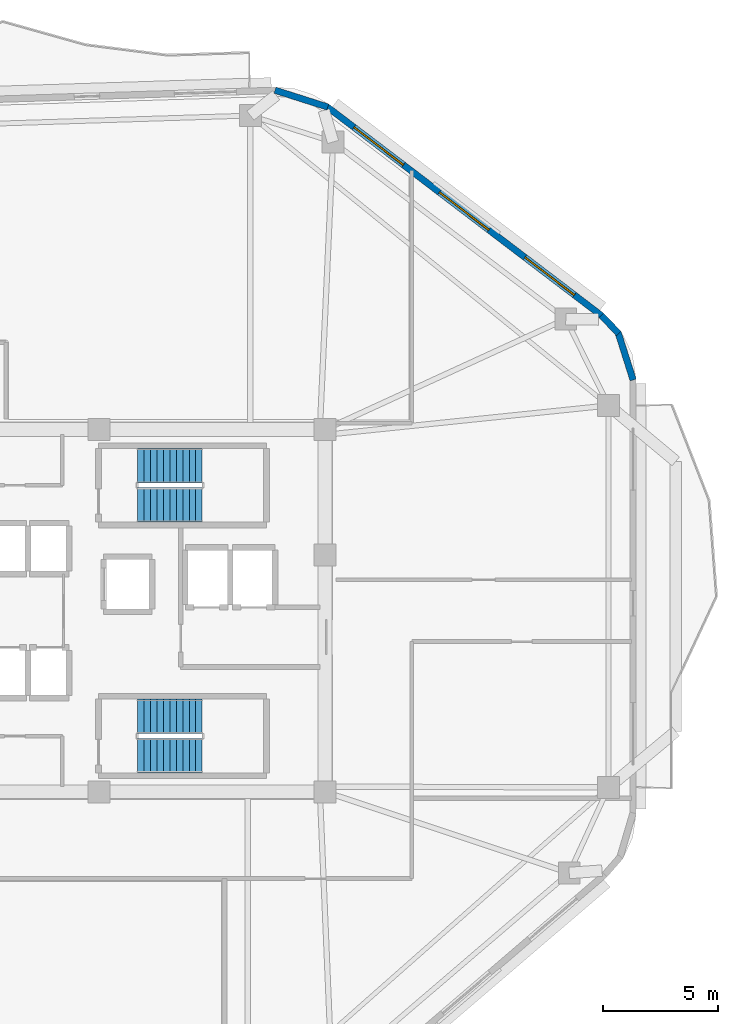
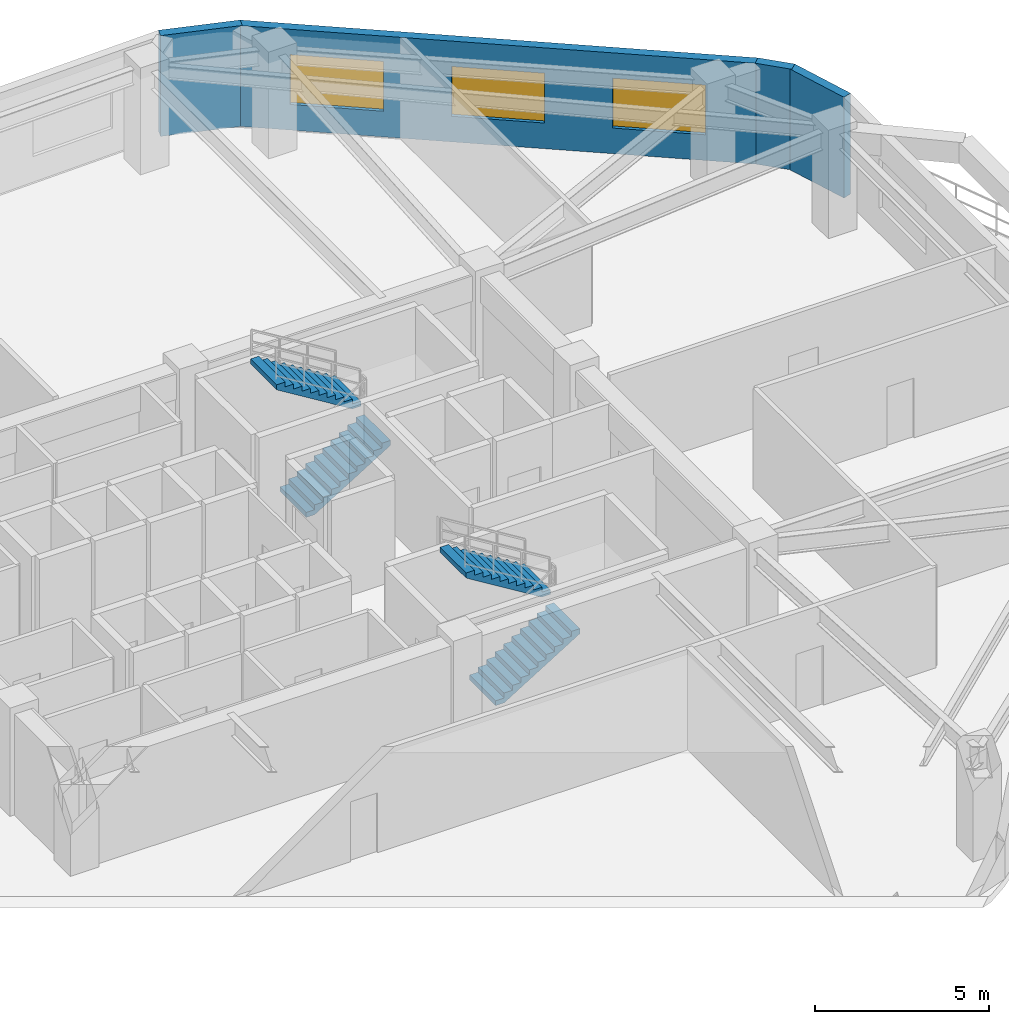
# One storey, part 6 of 8: 4 stair flights, 4 walls, 3 windows, 3 openings, 2 elements without a shape of their own.
"""IFC4 building model written with IfcOpenShell, lengths in metres."""

from ifc_helpers import new_model, si_unit, direction, frame, frame_2d, origin, place, context, subcontext, project, spatial, polyline, rectangle, outline, extrude, material, layer, layer_set, type_object, element, fill, aggregate, save


model = new_model("IFC4")

# Units and contexts
model_context = context("Model", 3, precision=1e-05, world=origin(), true_north=direction((0.0, 1.0)))
body_context = subcontext(model_context, "Body", "Model", "MODEL_VIEW")
ifc_project = project(units=[si_unit("LENGTHUNIT", "METRE"), si_unit("AREAUNIT", "SQUARE_METRE"), si_unit("VOLUMEUNIT", "CUBIC_METRE"), si_unit("PLANEANGLEUNIT", "RADIAN"), si_unit("MASSUNIT", "GRAM", prefix="KILO")], contexts=[model_context])

# Site, building, storey
site_placement = place(None, origin())
site = spatial("IfcSite", under=ifc_project, at=site_placement, CompositionType="ELEMENT")
building_placement = place(site_placement, origin())
building = spatial("IfcBuilding", under=site, at=building_placement, Name="Zulverin Broadcast Headquarters", CompositionType="ELEMENT")
storey_placement = place(building_placement, frame((0.0, 0.0, 166.800048828125)))
storey = spatial("IfcBuildingStorey", under=building, at=storey_placement, Name="L42", CompositionType="ELEMENT", Elevation=166.800048828125)

# Wall, openings, windows
ifc_material_1 = material(Name="Insulated pale-metal clad concrete spandrel C40/50", Category="concrete")
ifc_layer = layer(ifc_material_1, 0.280029296875, Name="Insulated pale-metal clad concrete spandrel C40/50", Category="concrete")
ifc_layer_set = layer_set([ifc_layer], Name="Insulated pale-metal clad concrete spandrel C40/50")
wall_type = type_object("IfcWallType", Name="WL-EXT-280", PredefinedType="STANDARD", material=ifc_layer_set)
wall_1_placement = place(storey_placement, frame((60.294921875, 38.025146484375, 0.0), z_axis=(0.0, 0.0, 1.0), x_axis=(-0.795831760834, 0.605517801925, 0.0)))
wall_1 = element("IfcWall", 1, at=wall_1_placement, inside=storey, type_object=wall_type, Name="L42 Pale-Metal Clad Spandrel Wall 4", PredefinedType="STANDARD", context=body_context, shape_type="SweptSolid", body=[
    extrude(rectangle(XDim=15.01171875, YDim=0.280029296875, at=frame_2d((7.505859375, 0.0))), origin(), (0.0, 0.0, 1.0), 3.5400390625),
])
opening_1_placement = place(wall_1_placement, frame((1.4853515625, 0.0, 0.89990234375)))
opening_1 = element("IfcOpeningElement", 2, at=opening_1_placement, cuts=wall_1, Name="Opening W-L42-E41", PredefinedType="OPENING", context=body_context, shape_type="SweptSolid", body=[
    extrude(rectangle(XDim=2.699951171875, YDim=1.75, at=frame_2d((1.35009765625, 0.875))), frame((0.0, 0.14990234375, 0.0), z_axis=(0.0, -1.0, 0.0), x_axis=(1.0, 0.0, 0.0)), (0.0, 0.0, 1.0), 0.300048828125),
])
opening_2_placement = place(wall_1_placement, frame((6.156005859375, 0.0, 0.89990234375)))
opening_2 = element("IfcOpeningElement", 3, at=opening_2_placement, cuts=wall_1, Name="Opening W-L42-E42", PredefinedType="OPENING", context=body_context, shape_type="SweptSolid", body=[
    extrude(rectangle(XDim=2.699951171875, YDim=1.75, at=frame_2d((1.35009765625, 0.875))), frame((0.0, 0.14990234375, 0.0), z_axis=(0.0, -1.0, 0.0), x_axis=(1.0, 0.0, 0.0)), (0.0, 0.0, 1.0), 0.300048828125),
])
opening_3_placement = place(wall_1_placement, frame((10.826416015625, 0.0, 0.89990234375)))
opening_3 = element("IfcOpeningElement", 4, at=opening_3_placement, cuts=wall_1, Name="Opening W-L42-E43", PredefinedType="OPENING", context=body_context, shape_type="SweptSolid", body=[
    extrude(rectangle(XDim=2.699951171875, YDim=1.75, at=frame_2d((1.35009765625, 0.875))), frame((0.0, 0.14990234375, 0.0), z_axis=(0.0, -1.0, 0.0), x_axis=(1.0, 0.0, 0.0)), (0.0, 0.0, 1.0), 0.300048828125),
])
ifc_material_2 = material(Name="Pale anodized aluminium frame with solar-control low-E double glazing", Category="aluminium")
window_type = type_object("IfcWindowType", Name="WIN-TWR-2700", PartitioningType="SINGLE_PANEL", PredefinedType="WINDOW", material=ifc_material_2)
window_1_placement = place(opening_1_placement, origin())
window_1 = element("IfcWindow", 5, at=window_1_placement, inside=storey, type_object=window_type, Name="L42 Ribbon Glazing Window 4 1", OverallHeight=1.75, OverallWidth=2.699951171875, PartitioningType="SINGLE_PANEL", PredefinedType="WINDOW", context=body_context, shape_type="SweptSolid", body=[
    extrude(rectangle(XDim=2.699951171875, YDim=1.75, at=frame_2d((1.35009765625, 0.875))), frame((0.0, 0.030029296875, 0.0), z_axis=(0.0, -1.0, 0.0), x_axis=(1.0, 0.0, 0.0)), (0.0, 0.0, 1.0), 0.06005859375),
])
fill(opening_1, window_1)
window_2_placement = place(opening_2_placement, origin())
window_2 = element("IfcWindow", 6, at=window_2_placement, inside=storey, type_object=window_type, Name="L42 Ribbon Glazing Window 4 2", OverallHeight=1.75, OverallWidth=2.699951171875, PartitioningType="SINGLE_PANEL", PredefinedType="WINDOW", context=body_context, shape_type="SweptSolid", body=[
    extrude(rectangle(XDim=2.699951171875, YDim=1.75, at=frame_2d((1.35009765625, 0.875))), frame((0.0, 0.030029296875, 0.0), z_axis=(0.0, -1.0, 0.0), x_axis=(1.0, 0.0, 0.0)), (0.0, 0.0, 1.0), 0.06005859375),
])
fill(opening_2, window_2)
window_3_placement = place(opening_3_placement, origin())
window_3 = element("IfcWindow", 7, at=window_3_placement, inside=storey, type_object=window_type, Name="L42 Ribbon Glazing Window 4 3", OverallHeight=1.75, OverallWidth=2.699951171875, PartitioningType="SINGLE_PANEL", PredefinedType="WINDOW", context=body_context, shape_type="SweptSolid", body=[
    extrude(rectangle(XDim=2.699951171875, YDim=1.75, at=frame_2d((1.35009765625, 0.875))), frame((0.0, 0.030029296875, 0.0), z_axis=(0.0, -1.0, 0.0), x_axis=(1.0, 0.0, 0.0)), (0.0, 0.0, 1.0), 0.06005859375),
])
fill(opening_3, window_3)

# Walls
wall_2_placement = place(storey_placement, frame((61.66650390625, 35.229248046875, 0.0), z_axis=(0.0, 0.0, 1.0), x_axis=(-0.302044777107, 0.953293738898, 0.0)))
element("IfcWall", 8, at=wall_2_placement, inside=storey, type_object=wall_type, Name="L42 Wind-Shaped Corner Spandrel Wall 3-1", PredefinedType="STANDARD", context=body_context, shape_type="SweptSolid", body=[
    extrude(rectangle(XDim=2.17431640625, YDim=0.280029296875, at=frame_2d((1.087158203125, 0.0))), origin(), (0.0, 0.0, 1.0), 3.5400390625),
])
wall_3_placement = place(storey_placement, frame((61.04248046875, 37.247314453125, 0.0), z_axis=(0.0, 0.0, 1.0), x_axis=(-0.694004126367, 0.719971022045, 0.0)))
element("IfcWall", 9, at=wall_3_placement, inside=storey, type_object=wall_type, Name="L42 Wind-Shaped Corner Spandrel Wall 3-2", PredefinedType="STANDARD", context=body_context, shape_type="SweptSolid", body=[
    extrude(rectangle(XDim=1.10009765625, YDim=0.280029296875, at=frame_2d((0.550048828125, 0.0))), origin(), (0.0, 0.0, 1.0), 3.5400390625),
])
wall_4_placement = place(storey_placement, frame((48.390380859375, 47.093017578125, 0.0), z_axis=(0.0, 0.0, 1.0), x_axis=(-0.952542948918, 0.304404222156, 0.0)))
element("IfcWall", 10, at=wall_4_placement, inside=storey, type_object=wall_type, Name="L42 Wind-Shaped Corner Spandrel Wall 4-1", PredefinedType="STANDARD", context=body_context, shape_type="SweptSolid", body=[
    extrude(rectangle(XDim=2.408447265625, YDim=0.280029296875, at=frame_2d((1.2041015625, 0.0))), origin(), (0.0, 0.0, 1.0), 3.5400390625),
])

# Stair, stair flights
ifc_material_3 = material(Name="Concrete C40/50", Category="concrete")
stair_type = type_object("IfcStairType", Name="ST-CORE-1500", PredefinedType="HALF_TURN_STAIR", material=ifc_material_3)
stair_1_placement = place(storey_placement, origin())
stair_1 = element("IfcStair", 11, at=stair_1_placement, inside=storey, type_object=stair_type, Name="L42 Core Exit Stair ST-1", PredefinedType="HALF_TURN_STAIR")
stair_flight_type = type_object("IfcStairFlightType", Name="SF-CORE-1500", PredefinedType="STRAIGHT", material=ifc_material_3)
stair_flight_1_placement = place(storey_placement, frame((40.1298828125, 29.800048828125, 0.0), z_axis=(0.0, 0.0, 1.0), x_axis=(1.0, 0.0, 0.0)))
stair_flight_1 = element("IfcStairFlight", 12, at=stair_flight_1_placement, type_object=stair_flight_type, Name="ST-1 flight 1", NumberOfRisers=11, NumberOfTreads=10, PredefinedType="STRAIGHT", RiserHeight=0.172727273, TreadLength=0.28, context=body_context, shape_type="SweptSolid", body=[
    extrude(outline(polyline([(0.0, 0.0), (0.0, 0.172607421875), (0.280029296875, 0.172607421875), (0.280029296875, 0.345458984375), (0.56005859375, 0.345458984375), (0.56005859375, 0.51806640625), (0.840087890625, 0.51806640625), (0.840087890625, 0.69091796875), (1.1201171875, 0.69091796875), (1.1201171875, 0.863525390625), (1.39990234375, 0.863525390625), (1.39990234375, 1.036376953125), (1.679931640625, 1.036376953125), (1.679931640625, 1.208984375), (1.9599609375, 1.208984375), (1.9599609375, 1.3818359375), (2.239990234375, 1.3818359375), (2.239990234375, 1.554443359375), (2.52001953125, 1.554443359375), (2.52001953125, 1.727294921875), (2.800048828125, 1.727294921875), (2.800048828125, 1.89990234375), (2.800048828125, 1.551025390625), (0.285400390625, 0.0), (0.0, 0.0)])), frame((0.0, 0.75, 0.0), z_axis=(0.0, -1.0, 0.0), x_axis=(1.0, 0.0, 0.0)), (0.0, 0.0, 1.0), 1.5),
])
stair_flight_2_placement = place(storey_placement, frame((42.929931640625, 31.5, 1.89990234375), z_axis=(0.0, 0.0, 1.0), x_axis=(-1.0, 0.0, 0.0)))
stair_flight_2 = element("IfcStairFlight", 13, at=stair_flight_2_placement, type_object=stair_flight_type, Name="ST-1 flight 2", NumberOfRisers=11, NumberOfTreads=10, PredefinedType="STRAIGHT", RiserHeight=0.172727273, TreadLength=0.28, context=body_context, shape_type="SweptSolid", body=[
    extrude(outline(polyline([(0.0, 0.0), (0.0, 0.172607421875), (0.280029296875, 0.172607421875), (0.280029296875, 0.345458984375), (0.56005859375, 0.345458984375), (0.56005859375, 0.51806640625), (0.840087890625, 0.51806640625), (0.840087890625, 0.69091796875), (1.1201171875, 0.69091796875), (1.1201171875, 0.863525390625), (1.39990234375, 0.863525390625), (1.39990234375, 1.036376953125), (1.679931640625, 1.036376953125), (1.679931640625, 1.208984375), (1.9599609375, 1.208984375), (1.9599609375, 1.3818359375), (2.239990234375, 1.3818359375), (2.239990234375, 1.554443359375), (2.52001953125, 1.554443359375), (2.52001953125, 1.727294921875), (2.800048828125, 1.727294921875), (2.800048828125, 1.89990234375), (2.800048828125, 1.551025390625), (0.285400390625, 0.0), (0.0, 0.0)])), frame((0.0, 0.75, 0.0), z_axis=(0.0, -1.0, 0.0), x_axis=(1.0, 0.0, 0.0)), (0.0, 0.0, 1.0), 1.5),
])
aggregate(stair_1, [stair_flight_1, stair_flight_2])

stair_2_placement = place(storey_placement, origin())
stair_2 = element("IfcStair", 14, at=stair_2_placement, inside=storey, type_object=stair_type, Name="L42 Core Exit Stair ST-2", PredefinedType="HALF_TURN_STAIR")
stair_flight_3_placement = place(storey_placement, frame((40.1298828125, 18.89990234375, 0.0), z_axis=(0.0, 0.0, 1.0), x_axis=(1.0, 0.0, 0.0)))
stair_flight_3 = element("IfcStairFlight", 15, at=stair_flight_3_placement, type_object=stair_flight_type, Name="ST-2 flight 1", NumberOfRisers=11, NumberOfTreads=10, PredefinedType="STRAIGHT", RiserHeight=0.172727273, TreadLength=0.28, context=body_context, shape_type="SweptSolid", body=[
    extrude(outline(polyline([(0.0, 0.0), (0.0, 0.172607421875), (0.280029296875, 0.172607421875), (0.280029296875, 0.345458984375), (0.56005859375, 0.345458984375), (0.56005859375, 0.51806640625), (0.840087890625, 0.51806640625), (0.840087890625, 0.69091796875), (1.1201171875, 0.69091796875), (1.1201171875, 0.863525390625), (1.39990234375, 0.863525390625), (1.39990234375, 1.036376953125), (1.679931640625, 1.036376953125), (1.679931640625, 1.208984375), (1.9599609375, 1.208984375), (1.9599609375, 1.3818359375), (2.239990234375, 1.3818359375), (2.239990234375, 1.554443359375), (2.52001953125, 1.554443359375), (2.52001953125, 1.727294921875), (2.800048828125, 1.727294921875), (2.800048828125, 1.89990234375), (2.800048828125, 1.551025390625), (0.285400390625, 0.0), (0.0, 0.0)])), frame((0.0, 0.75, 0.0), z_axis=(0.0, -1.0, 0.0), x_axis=(1.0, 0.0, 0.0)), (0.0, 0.0, 1.0), 1.5),
])
stair_flight_4_placement = place(storey_placement, frame((42.929931640625, 20.60009765625, 1.89990234375), z_axis=(0.0, 0.0, 1.0), x_axis=(-1.0, 0.0, 0.0)))
stair_flight_4 = element("IfcStairFlight", 16, at=stair_flight_4_placement, type_object=stair_flight_type, Name="ST-2 flight 2", NumberOfRisers=11, NumberOfTreads=10, PredefinedType="STRAIGHT", RiserHeight=0.172727273, TreadLength=0.28, context=body_context, shape_type="SweptSolid", body=[
    extrude(outline(polyline([(0.0, 0.0), (0.0, 0.172607421875), (0.280029296875, 0.172607421875), (0.280029296875, 0.345458984375), (0.56005859375, 0.345458984375), (0.56005859375, 0.51806640625), (0.840087890625, 0.51806640625), (0.840087890625, 0.69091796875), (1.1201171875, 0.69091796875), (1.1201171875, 0.863525390625), (1.39990234375, 0.863525390625), (1.39990234375, 1.036376953125), (1.679931640625, 1.036376953125), (1.679931640625, 1.208984375), (1.9599609375, 1.208984375), (1.9599609375, 1.3818359375), (2.239990234375, 1.3818359375), (2.239990234375, 1.554443359375), (2.52001953125, 1.554443359375), (2.52001953125, 1.727294921875), (2.800048828125, 1.727294921875), (2.800048828125, 1.89990234375), (2.800048828125, 1.551025390625), (0.285400390625, 0.0), (0.0, 0.0)])), frame((0.0, 0.75, 0.0), z_axis=(0.0, -1.0, 0.0), x_axis=(1.0, 0.0, 0.0)), (0.0, 0.0, 1.0), 1.5),
])
aggregate(stair_2, [stair_flight_3, stair_flight_4])

save(model, "model.ifc")
